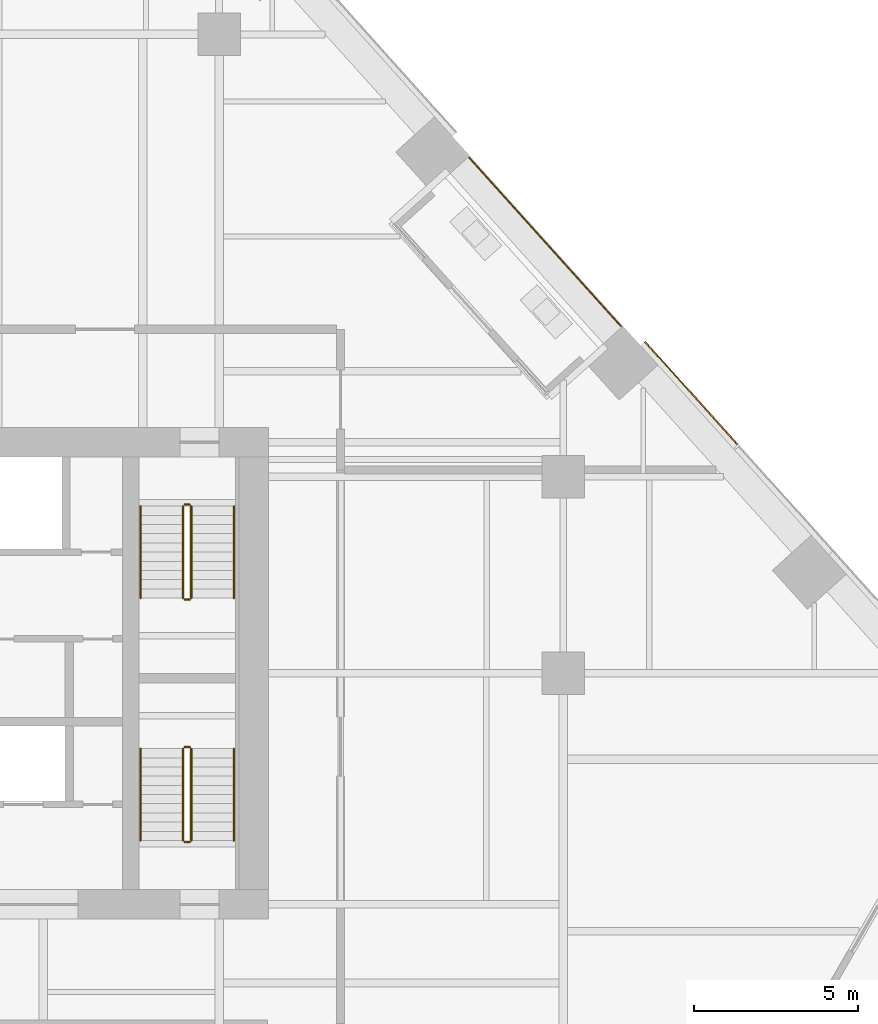
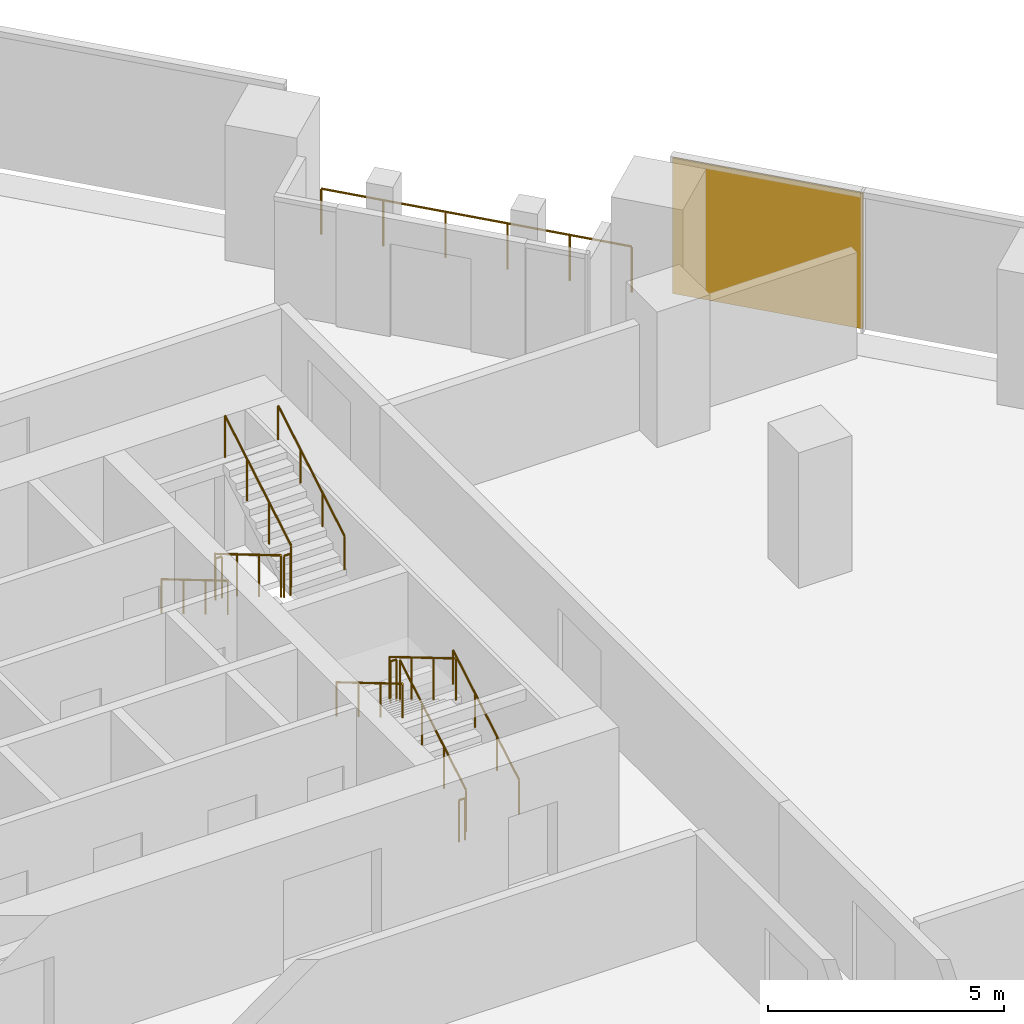
# One storey, part 26 of 28: 13 railings, 1 covering, 1 element without a shape of its own.
"""IFC4 building model written with IfcOpenShell, lengths in metres."""

from ifc_helpers import new_model, si_unit, direction, frame, origin, origin_2d, place, context, subcontext, project, spatial, rectangle, circle, extrude, material, layer, layer_set, type_object, element, aggregate, save


model = new_model("IFC4")

# Units and contexts
model_context = context("Model", 3, precision=1e-05, world=origin(), true_north=direction((0.0, 1.0)))
body_context = subcontext(model_context, "Body", "Model", "MODEL_VIEW")
ifc_project = project(units=[si_unit("LENGTHUNIT", "METRE"), si_unit("AREAUNIT", "SQUARE_METRE"), si_unit("VOLUMEUNIT", "CUBIC_METRE"), si_unit("PLANEANGLEUNIT", "RADIAN"), si_unit("MASSUNIT", "GRAM", prefix="KILO")], contexts=[model_context])

# Site, building, storey
site_placement = place(None, origin())
site = spatial("IfcSite", under=ifc_project, at=site_placement, CompositionType="ELEMENT")
building_placement = place(site_placement, origin())
building = spatial("IfcBuilding", under=site, at=building_placement, Name="Isthmus Gate Tower", CompositionType="ELEMENT")
storey_placement = place(building_placement, frame((0.0, 0.0, 98.89990234375)))
storey = spatial("IfcBuildingStorey", under=building, at=storey_placement, Name="L23", CompositionType="ELEMENT", Elevation=98.89990234375)

# Curtain wall, covering
ifc_material_1 = material(Name="Aluminium, pale champagne anodised", Category="aluminium")
ifc_layer_1 = layer(ifc_material_1, 0.199951171875)
ifc_layer_set_1 = layer_set([ifc_layer_1], Name="CW-1 UNITISED CURTAIN WALL 200 DEEP")
curtain_wall_type = type_object("IfcCurtainWallType", Name="CW-1 UNITISED CURTAIN WALL 200 DEEP", PredefinedType="NOTDEFINED", material=ifc_layer_set_1)
curtain_wall_placement = place(storey_placement, origin())
curtain_wall = element("IfcCurtainWall", 1, at=curtain_wall_placement, inside=storey, type_object=curtain_wall_type, Name="CW-1 NE L23", PredefinedType="NOTDEFINED")
ifc_material_2 = material(Name="Aluminium composite panel, pale champagne anodised", Category="aluminium")
ifc_layer_2 = layer(ifc_material_2, 0.0400390625)
ifc_layer_set_2 = layer_set([ifc_layer_2], Name="CW-1 PALE METAL PANEL 40")
covering_type = type_object("IfcCoveringType", Name="CW-1 PALE METAL PANEL 40", PredefinedType="CLADDING", material=ifc_layer_set_2)
covering_placement = place(storey_placement, frame((27.910400390625, 16.049560546875, 0.0), z_axis=(0.0, 0.0, 1.0), x_axis=(-0.669130606359, 0.743144825477, 0.0)))
covering = element("IfcCovering", 2, at=covering_placement, type_object=covering_type, Name="CW-1 pale metal panel", PredefinedType="CLADDING", context=body_context, shape_type="SweptSolid", body=[
    extrude(rectangle(XDim=4.234619140625, YDim=0.0400390625, at=origin_2d()), origin(), (0.0, 0.0, 1.0), 3.5),
])
aggregate(curtain_wall, [covering])

# Railings
ifc_material_3 = material(Name="Toughened laminated glass with stainless steel posts", Category="steel")
railing_type_1 = type_object("IfcRailingType", Name="GUARD 1200 FRAMELESS GLASS", PredefinedType="GUARDRAIL", material=ifc_material_3)
railing_1_placement = place(storey_placement, frame((25.7607421875, 18.09326171875, 0.0)))
element("IfcRailing", 3, at=railing_1_placement, inside=storey, type_object=railing_type_1, Name="LOGGIA GUARD", PredefinedType="GUARDRAIL", context=body_context, shape_type="SweptSolid", body=[
    extrude(circle(Radius=0.02490234375, at=origin_2d()), frame((0.0, 0.0, 1.1748046875), z_axis=(-0.669124793951, 0.743150058952, 0.0), x_axis=(-0.743150058952, -0.669124793951, 0.0)), (0.0, 0.0, 1.0), 6.909423828125),
    extrude(circle(Radius=0.02490234375, at=origin_2d()), origin(), (0.0, 0.0, 1.0), 1.14990234375),
    extrude(circle(Radius=0.02490234375, at=origin_2d()), frame((-0.924560546875, 1.02685546875, 0.0)), (0.0, 0.0, 1.0), 1.14990234375),
    extrude(circle(Radius=0.02490234375, at=origin_2d()), frame((-1.849365234375, 2.053955078125, 0.0)), (0.0, 0.0, 1.0), 1.14990234375),
    extrude(circle(Radius=0.02490234375, at=origin_2d()), frame((-2.77392578125, 3.080810546875, 0.0)), (0.0, 0.0, 1.0), 1.14990234375),
    extrude(circle(Radius=0.02490234375, at=origin_2d()), frame((-3.69873046875, 4.10791015625, 0.0)), (0.0, 0.0, 1.0), 1.14990234375),
    extrude(circle(Radius=0.02490234375, at=origin_2d()), frame((-4.623291015625, 5.134765625, 0.0)), (0.0, 0.0, 1.0), 1.14990234375),
])
ifc_material_4 = material(Name="Stainless steel balustrade", Category="steel")
railing_type_2 = type_object("IfcRailingType", Name="STAIR GUARD 1100", PredefinedType="GUARDRAIL", material=ifc_material_4)
railing_2_placement = place(storey_placement, frame((12.39990234375, 12.60009765625, 0.166015625)))
element("IfcRailing", 4, at=railing_2_placement, inside=storey, type_object=railing_type_2, Name="L23 ST2 stair guard 1", PredefinedType="GUARDRAIL", context=body_context, shape_type="SweptSolid", body=[
    extrude(circle(Radius=0.02392578125, at=origin_2d()), frame((0.0, 0.0, 1.076171875), z_axis=(0.0, -0.860306154799, 0.50977771628), x_axis=(1.0, 0.0, 0.0)), (0.0, 0.0, 1.0), 3.254638671875),
    extrude(circle(Radius=0.02099609375, at=origin_2d()), origin(), (0.0, 0.0, 1.0), 1.052001953125),
    extrude(circle(Radius=0.02099609375, at=origin_2d()), frame((0.0, -0.933349609375, 0.552978515625)), (0.0, 0.0, 1.0), 1.052001953125),
    extrude(circle(Radius=0.02099609375, at=origin_2d()), frame((0.0, -1.86669921875, 1.106201171875)), (0.0, 0.0, 1.0), 1.052001953125),
    extrude(circle(Radius=0.02099609375, at=origin_2d()), frame((0.0, -2.800048828125, 1.6591796875)), (0.0, 0.0, 1.0), 1.052001953125),
])
railing_3_placement = place(storey_placement, frame((12.449951171875, 9.75, 1.8251953125)))
element("IfcRailing", 5, at=railing_3_placement, inside=storey, type_object=railing_type_2, Name="L23 ST2 stair guard 2", PredefinedType="GUARDRAIL", context=body_context, shape_type="SweptSolid", body=[
    extrude(circle(Radius=0.02392578125, at=origin_2d()), frame((0.0, 0.0, 1.076171875), z_axis=(1.0, 0.0, 0.0), x_axis=(0.0, 1.0, 0.0)), (0.0, 0.0, 1.0), 0.150146484375),
    extrude(circle(Radius=0.02099609375, at=origin_2d()), origin(), (0.0, 0.0, 1.0), 1.052001953125),
    extrude(circle(Radius=0.02099609375, at=origin_2d()), frame((0.150146484375, 0.0, 0.0)), (0.0, 0.0, 1.0), 1.052001953125),
])
railing_4_placement = place(storey_placement, frame((12.64990234375, 9.800048828125, 1.990966796875)))
element("IfcRailing", 6, at=railing_4_placement, inside=storey, type_object=railing_type_2, Name="L23 ST2 stair guard 3", PredefinedType="GUARDRAIL", context=body_context, shape_type="SweptSolid", body=[
    extrude(circle(Radius=0.02392578125, at=origin_2d()), frame((0.0, 0.0, 1.076171875), z_axis=(0.0, 0.860306154799, 0.50977771628), x_axis=(-1.0, 0.0, 0.0)), (0.0, 0.0, 1.0), 3.254638671875),
    extrude(circle(Radius=0.02099609375, at=origin_2d()), origin(), (0.0, 0.0, 1.0), 1.052001953125),
    extrude(circle(Radius=0.02099609375, at=origin_2d()), frame((0.0, 0.933349609375, 0.552978515625)), (0.0, 0.0, 1.0), 1.052001953125),
    extrude(circle(Radius=0.02099609375, at=origin_2d()), frame((0.0, 1.86669921875, 1.106201171875)), (0.0, 0.0, 1.0), 1.052001953125),
    extrude(circle(Radius=0.02099609375, at=origin_2d()), frame((0.0, 2.800048828125, 1.6591796875)), (0.0, 0.0, 1.0), 1.052001953125),
])
railing_5_placement = place(storey_placement, frame((12.449951171875, 12.64990234375, 0.0)))
element("IfcRailing", 7, at=railing_5_placement, inside=storey, type_object=railing_type_2, Name="L23 ST2 stair guard 4", PredefinedType="GUARDRAIL", context=body_context, shape_type="SweptSolid", body=[
    extrude(circle(Radius=0.02392578125, at=origin_2d()), frame((0.0, 0.0, 1.076171875), z_axis=(1.0, 0.0, 0.0), x_axis=(0.0, 1.0, 0.0)), (0.0, 0.0, 1.0), 0.150146484375),
    extrude(circle(Radius=0.02099609375, at=origin_2d()), origin(), (0.0, 0.0, 1.0), 1.052001953125),
    extrude(circle(Radius=0.02099609375, at=origin_2d()), frame((0.150146484375, 0.0, 0.0)), (0.0, 0.0, 1.0), 1.052001953125),
])
railing_6_placement = place(storey_placement, frame((12.64990234375, 2.39990234375, 0.166015625)))
element("IfcRailing", 8, at=railing_6_placement, inside=storey, type_object=railing_type_2, Name="L23 ST8 stair guard 1", PredefinedType="GUARDRAIL", context=body_context, shape_type="SweptSolid", body=[
    extrude(circle(Radius=0.02392578125, at=origin_2d()), frame((0.0, 0.0, 1.076171875), z_axis=(0.0, 0.860306154799, 0.50977771628), x_axis=(-1.0, 0.0, 0.0)), (0.0, 0.0, 1.0), 3.254638671875),
    extrude(circle(Radius=0.02099609375, at=origin_2d()), origin(), (0.0, 0.0, 1.0), 1.052001953125),
    extrude(circle(Radius=0.02099609375, at=origin_2d()), frame((0.0, 0.933349609375, 0.552978515625)), (0.0, 0.0, 1.0), 1.052001953125),
    extrude(circle(Radius=0.02099609375, at=origin_2d()), frame((0.0, 1.86669921875, 1.106201171875)), (0.0, 0.0, 1.0), 1.052001953125),
    extrude(circle(Radius=0.02099609375, at=origin_2d()), frame((0.0, 2.800048828125, 1.6591796875)), (0.0, 0.0, 1.0), 1.052001953125),
])
railing_7_placement = place(storey_placement, frame((12.60009765625, 5.25, 1.8251953125)))
element("IfcRailing", 9, at=railing_7_placement, inside=storey, type_object=railing_type_2, Name="L23 ST8 stair guard 2", PredefinedType="GUARDRAIL", context=body_context, shape_type="SweptSolid", body=[
    extrude(circle(Radius=0.02392578125, at=origin_2d()), frame((0.0, 0.0, 1.076171875), z_axis=(-1.0, 0.0, 0.0), x_axis=(0.0, -1.0, 0.0)), (0.0, 0.0, 1.0), 0.150146484375),
    extrude(circle(Radius=0.02099609375, at=origin_2d()), origin(), (0.0, 0.0, 1.0), 1.052001953125),
    extrude(circle(Radius=0.02099609375, at=origin_2d()), frame((-0.150146484375, 0.0, 0.0)), (0.0, 0.0, 1.0), 1.052001953125),
])
railing_8_placement = place(storey_placement, frame((12.39990234375, 5.199951171875, 1.990966796875)))
element("IfcRailing", 10, at=railing_8_placement, inside=storey, type_object=railing_type_2, Name="L23 ST8 stair guard 3", PredefinedType="GUARDRAIL", context=body_context, shape_type="SweptSolid", body=[
    extrude(circle(Radius=0.02392578125, at=origin_2d()), frame((0.0, 0.0, 1.076171875), z_axis=(0.0, -0.860306154799, 0.50977771628), x_axis=(1.0, 0.0, 0.0)), (0.0, 0.0, 1.0), 3.254638671875),
    extrude(circle(Radius=0.02099609375, at=origin_2d()), origin(), (0.0, 0.0, 1.0), 1.052001953125),
    extrude(circle(Radius=0.02099609375, at=origin_2d()), frame((0.0, -0.933349609375, 0.552978515625)), (0.0, 0.0, 1.0), 1.052001953125),
    extrude(circle(Radius=0.02099609375, at=origin_2d()), frame((0.0, -1.86669921875, 1.106201171875)), (0.0, 0.0, 1.0), 1.052001953125),
    extrude(circle(Radius=0.02099609375, at=origin_2d()), frame((0.0, -2.800048828125, 1.6591796875)), (0.0, 0.0, 1.0), 1.052001953125),
])
railing_9_placement = place(storey_placement, frame((12.60009765625, 2.35009765625, 0.0)))
element("IfcRailing", 11, at=railing_9_placement, inside=storey, type_object=railing_type_2, Name="L23 ST8 stair guard 4", PredefinedType="GUARDRAIL", context=body_context, shape_type="SweptSolid", body=[
    extrude(circle(Radius=0.02392578125, at=origin_2d()), frame((0.0, 0.0, 1.076171875), z_axis=(-1.0, 0.0, 0.0), x_axis=(0.0, -1.0, 0.0)), (0.0, 0.0, 1.0), 0.150146484375),
    extrude(circle(Radius=0.02099609375, at=origin_2d()), origin(), (0.0, 0.0, 1.0), 1.052001953125),
    extrude(circle(Radius=0.02099609375, at=origin_2d()), frame((-0.150146484375, 0.0, 0.0)), (0.0, 0.0, 1.0), 1.052001953125),
])
ifc_material_5 = material(Name="Stainless steel handrail", Category="steel")
railing_type_3 = type_object("IfcRailingType", Name="STAIR HANDRAIL 900", PredefinedType="HANDRAIL", material=ifc_material_5)
railing_10_placement = place(storey_placement, frame((11.10009765625, 12.60009765625, 0.166015625)))
element("IfcRailing", 12, at=railing_10_placement, inside=storey, type_object=railing_type_3, Name="L23 ST2 stair handrail 1", PredefinedType="HANDRAIL", context=body_context, shape_type="SweptSolid", body=[
    extrude(circle(Radius=0.02392578125, at=origin_2d()), frame((0.0, 0.0, 0.8759765625), z_axis=(0.0, -0.860306154799, 0.50977771628), x_axis=(1.0, 0.0, 0.0)), (0.0, 0.0, 1.0), 3.254638671875),
    extrude(circle(Radius=0.02099609375, at=origin_2d()), origin(), (0.0, 0.0, 1.0), 0.851806640625),
    extrude(circle(Radius=0.02099609375, at=origin_2d()), frame((0.0, -0.933349609375, 0.552978515625)), (0.0, 0.0, 1.0), 0.851806640625),
    extrude(circle(Radius=0.02099609375, at=origin_2d()), frame((0.0, -1.86669921875, 1.106201171875)), (0.0, 0.0, 1.0), 0.851806640625),
    extrude(circle(Radius=0.02099609375, at=origin_2d()), frame((0.0, -2.800048828125, 1.6591796875)), (0.0, 0.0, 1.0), 0.851806640625),
])
for number, where, name in (
    (13, (13.949951171875, 9.800048828125, 1.990966796875), "L23 ST2 stair handrail 2"),
    (14, (13.949951171875, 2.39990234375, 0.166015625), "L23 ST8 stair handrail 1"),
):
    element("IfcRailing", number, at=place(storey_placement, frame(where)), inside=storey, type_object=railing_type_3, Name=name, PredefinedType="HANDRAIL", context=body_context, shape_type="SweptSolid", body=[
        extrude(circle(Radius=0.02392578125, at=origin_2d()), frame((0.0, 0.0, 0.8759765625), z_axis=(0.0, 0.860306154799, 0.50977771628), x_axis=(-1.0, 0.0, 0.0)), (0.0, 0.0, 1.0), 3.254638671875),
        extrude(circle(Radius=0.02099609375, at=origin_2d()), origin(), (0.0, 0.0, 1.0), 0.851806640625),
        extrude(circle(Radius=0.02099609375, at=origin_2d()), frame((0.0, 0.933349609375, 0.552978515625)), (0.0, 0.0, 1.0), 0.851806640625),
        extrude(circle(Radius=0.02099609375, at=origin_2d()), frame((0.0, 1.86669921875, 1.106201171875)), (0.0, 0.0, 1.0), 0.851806640625),
        extrude(circle(Radius=0.02099609375, at=origin_2d()), frame((0.0, 2.800048828125, 1.6591796875)), (0.0, 0.0, 1.0), 0.851806640625),
    ])
railing_11_placement = place(storey_placement, frame((11.10009765625, 5.199951171875, 1.990966796875)))
element("IfcRailing", 15, at=railing_11_placement, inside=storey, type_object=railing_type_3, Name="L23 ST8 stair handrail 2", PredefinedType="HANDRAIL", context=body_context, shape_type="SweptSolid", body=[
    extrude(circle(Radius=0.02392578125, at=origin_2d()), frame((0.0, 0.0, 0.8759765625), z_axis=(0.0, -0.860306154799, 0.50977771628), x_axis=(1.0, 0.0, 0.0)), (0.0, 0.0, 1.0), 3.254638671875),
    extrude(circle(Radius=0.02099609375, at=origin_2d()), origin(), (0.0, 0.0, 1.0), 0.851806640625),
    extrude(circle(Radius=0.02099609375, at=origin_2d()), frame((0.0, -0.933349609375, 0.552978515625)), (0.0, 0.0, 1.0), 0.851806640625),
    extrude(circle(Radius=0.02099609375, at=origin_2d()), frame((0.0, -1.86669921875, 1.106201171875)), (0.0, 0.0, 1.0), 0.851806640625),
    extrude(circle(Radius=0.02099609375, at=origin_2d()), frame((0.0, -2.800048828125, 1.6591796875)), (0.0, 0.0, 1.0), 0.851806640625),
])

save(model, "model.ifc")
